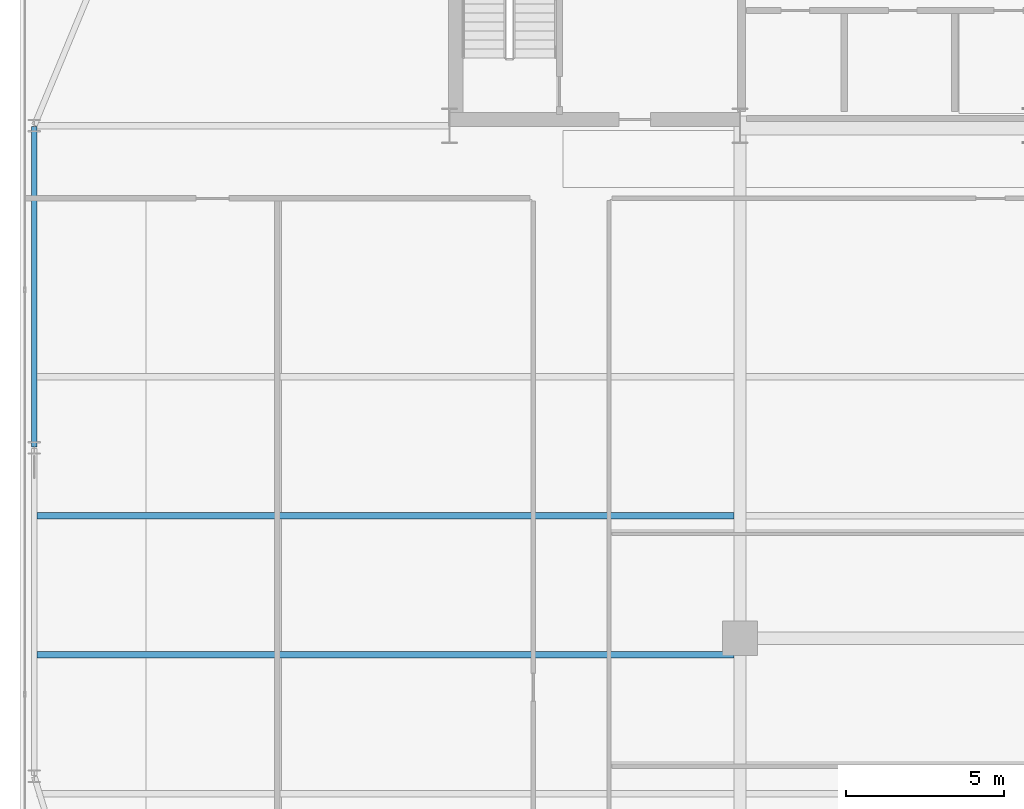
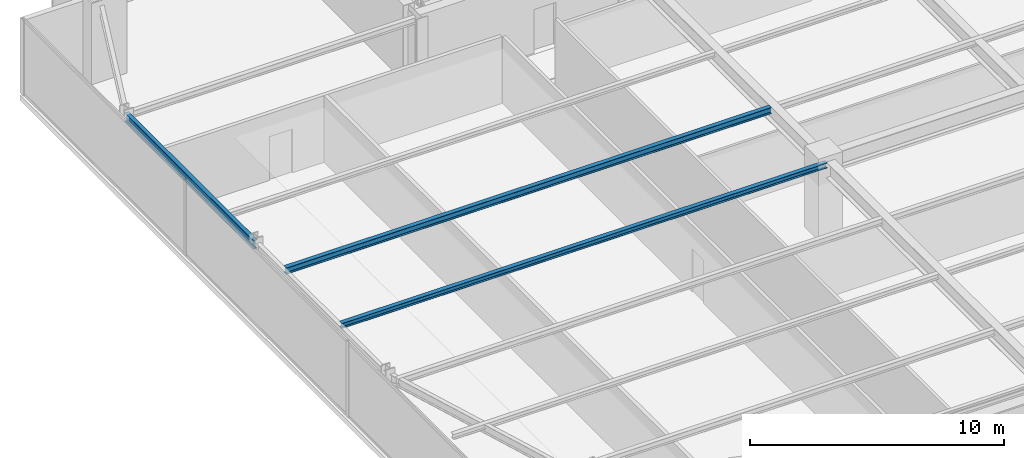
# One storey, part 9 of 32: 3 beams.
"""IFC4 building model written with IfcOpenShell, lengths in metres."""

from ifc_helpers import new_model, si_unit, direction, frame, origin, origin_2d, place, context, subcontext, project, spatial, i_section, extrude, source, transform, mapped, material, material_profile, profile_set, type_object, type_shapes, element, save


model = new_model("IFC4")

# Units and contexts
model_context = context("Model", 3, precision=1e-05, world=origin(), true_north=direction((0.0, 1.0)))
body_context = subcontext(model_context, "Body", "Model", "MODEL_VIEW")
ifc_project = project(units=[si_unit("LENGTHUNIT", "METRE"), si_unit("AREAUNIT", "SQUARE_METRE"), si_unit("VOLUMEUNIT", "CUBIC_METRE"), si_unit("PLANEANGLEUNIT", "RADIAN"), si_unit("MASSUNIT", "GRAM", prefix="KILO")], contexts=[model_context])

# Site, building, storey
site_placement = place(None, origin())
site = spatial("IfcSite", under=ifc_project, at=site_placement, CompositionType="ELEMENT")
building_placement = place(site_placement, origin())
building = spatial("IfcBuilding", under=site, at=building_placement, Name="Varnel Quay Broadcast Tower", CompositionType="ELEMENT")
storey_placement = place(building_placement, frame((0.0, 0.0, 70.5)))
storey = spatial("IfcBuildingStorey", under=building, at=storey_placement, Name="L16", CompositionType="ELEMENT", Elevation=70.5)

# Beams
ifc_material = material(Name="Structural Steel CSA G40.21 350W", Category="steel")
ifc_material_profile_1 = material_profile(ifc_material, i_section(OverallWidth=0.180908203125, OverallDepth=0.4169921875, WebThickness=0.010986328125, FlangeThickness=0.018310546875, FilletRadius=0.011962890625, at=origin_2d()), Name="W410X85")
ifc_profile_set_1 = profile_set([ifc_material_profile_1], Name="Structural Steel CSA G40.21 350W")
beam_type_1 = type_object("IfcBeamType", Name="Beam_W410X85", PredefinedType="SPANDREL", material=ifc_profile_set_1)
shared_shape_1 = source(origin(), body_context, "Body", "SweptSolid", [
    extrude(i_section(OverallWidth=0.180908203125, OverallDepth=0.4169921875, WebThickness=0.010986328125, FlangeThickness=0.018310546875, FilletRadius=0.011962890625, at=origin_2d()), origin(), (0.0, 0.0, 1.0), 10.16015625),
])
type_shapes(beam_type_1, [shared_shape_1])
beam_1_placement = place(storey_placement, frame((2.449951171875, 25.419921875, 3.44140625), z_axis=(0.0, 1.0, 0.0), x_axis=(-1.0, 0.0, 0.0)))
element("IfcBeam", 1, at=beam_1_placement, inside=storey, type_object=beam_type_1, Name="L16 West Spandrel TC-W2-TC-W3", PredefinedType="SPANDREL", context=body_context, shape_type="MappedRepresentation", body=[
    mapped(shared_shape_1, transform((0.0, 0.0, 0.0), x_axis=(1.0, 0.0, 0.0), y_axis=(0.0, 1.0, 0.0), z_axis=(0.0, 0.0, 1.0), scale=1.0)),
])
ifc_material_profile_2 = material_profile(ifc_material, i_section(OverallWidth=0.202880859375, OverallDepth=0.302978515625, WebThickness=0.007568359375, FlangeThickness=0.01318359375, FilletRadius=0.011962890625, at=origin_2d()), Name="W310X60")
ifc_profile_set_2 = profile_set([ifc_material_profile_2], Name="Structural Steel CSA G40.21 350W")
beam_type_2 = type_object("IfcBeamType", Name="Beam_W310X60", PredefinedType="JOIST", material=ifc_profile_set_2)
shared_shape_2 = source(origin(), body_context, "Body", "SweptSolid", [
    extrude(i_section(OverallWidth=0.202880859375, OverallDepth=0.302978515625, WebThickness=0.007568359375, FlangeThickness=0.01318359375, FilletRadius=0.011962890625, at=origin_2d()), origin(), (0.0, 0.0, 1.0), 22.0791015625),
])
type_shapes(beam_type_2, [shared_shape_2])
beam_2_placement = place(storey_placement, frame((2.535400390625, 23.25, 3.49853515625), z_axis=(1.0, 0.0, 0.0), x_axis=(0.0, 1.0, 0.0)))
element("IfcBeam", 2, at=beam_2_placement, inside=storey, type_object=beam_type_2, Name="L16 West Floor Joist 5", PredefinedType="JOIST", context=body_context, shape_type="MappedRepresentation", body=[
    mapped(shared_shape_2, transform((0.0, 0.0, 0.0), x_axis=(1.0, 0.0, 0.0), y_axis=(0.0, 1.0, 0.0), z_axis=(0.0, 0.0, 1.0), scale=1.0)),
])
ifc_material_profile_3 = material_profile(ifc_material, i_section(OverallWidth=0.201904296875, OverallDepth=0.2470703125, WebThickness=0.00732421875, FlangeThickness=0.010986328125, FilletRadius=0.010986328125, at=origin_2d()), Name="W250X49")
ifc_profile_set_3 = profile_set([ifc_material_profile_3], Name="Structural Steel CSA G40.21 350W")
beam_type_3 = type_object("IfcBeamType", Name="Beam_W250X49", PredefinedType="JOIST", material=ifc_profile_set_3)
shared_shape_3 = source(origin(), body_context, "Body", "SweptSolid", [
    extrude(i_section(OverallWidth=0.201904296875, OverallDepth=0.2470703125, WebThickness=0.00732421875, FlangeThickness=0.010986328125, FilletRadius=0.010986328125, at=origin_2d()), origin(), (0.0, 0.0, 1.0), 22.0791015625),
])
type_shapes(beam_type_3, [shared_shape_3])
beam_3_placement = place(storey_placement, frame((2.535400390625, 18.85009765625, 3.526611328125), z_axis=(1.0, 0.0, 0.0), x_axis=(0.0, 1.0, 0.0)))
element("IfcBeam", 3, at=beam_3_placement, inside=storey, type_object=beam_type_3, Name="L16 West Floor Joist 4", PredefinedType="JOIST", context=body_context, shape_type="MappedRepresentation", body=[
    mapped(shared_shape_3, transform((0.0, 0.0, 0.0), x_axis=(1.0, 0.0, 0.0), y_axis=(0.0, 1.0, 0.0), z_axis=(0.0, 0.0, 1.0), scale=1.0)),
])

save(model, "model.ifc")
